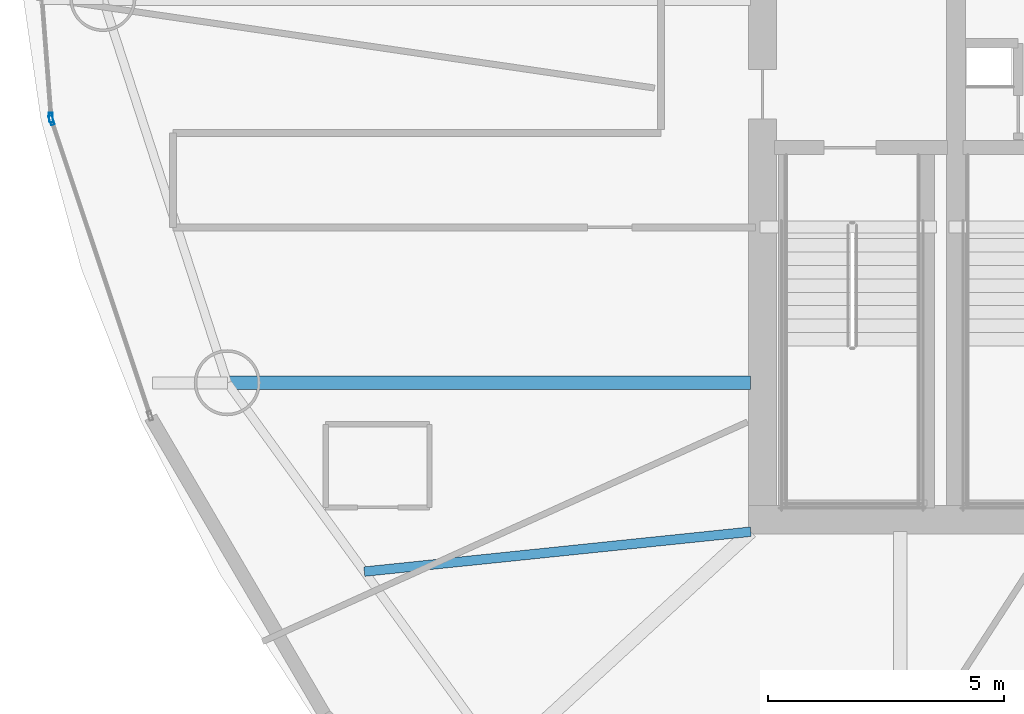
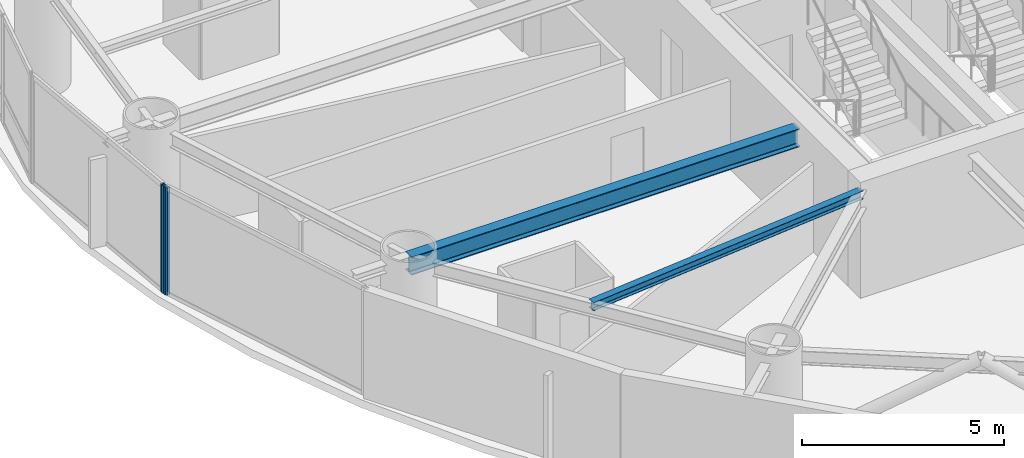
# One storey, part 5 of 22: 2 beams, 2 members, 2 elements without a shape of their own.
"""IFC4 building model written with IfcOpenShell, lengths in metres."""

import ifcopenshell
import ifcopenshell.guid

model = None  # the IFC model being written
_history = None  # IfcOwnerHistory: only IFC2X3 demands one
_inside = {}  # id of a spatial element -> (the spatial element, [elements in it])
_under = {}  # id of a project, library or spatial element -> (it, [spatial elements below it])
_declared = {}  # id of a project -> (the project, [libraries it declares])
_typed = {}  # id of a type object -> (the type object, [elements of that type])
_made_of = {}  # id of a material, layer set ... -> (it, [elements and type objects made of it])


def new_model(schema):
    """Start an empty IFC model of exactly this schema.

    Asked for "IFC4X3", IfcOpenShell would pick the latest addendum, in which some entities
    have other attributes; the version numbers below select the first issue.
    IFC2X3 requires an IfcOwnerHistory on every rooted entity: one is made here for all.
    """
    global model, _history
    if schema == "IFC4X3":
        model = ifcopenshell.file(schema_version=(4, 3, 0, 0))
    else:
        model = ifcopenshell.file(schema=schema)
    _inside.clear()
    _under.clear()
    _declared.clear()
    _typed.clear()
    _made_of.clear()
    _history = None
    if model.schema == "IFC2X3":
        org = make("IfcOrganization", Name="unknown")
        user = make(
            "IfcPersonAndOrganization",
            ThePerson=make("IfcPerson", FamilyName="unknown"),
            TheOrganization=org,
        )
        app = make(
            "IfcApplication",
            ApplicationDeveloper=org,
            Version="unknown",
            ApplicationFullName="unknown",
            ApplicationIdentifier="unknown",
        )
        _history = make(
            "IfcOwnerHistory",
            OwningUser=user,
            OwningApplication=app,
            ChangeAction="ADDED",
            CreationDate=0,
        )
    return model


def make(cls, **values):
    """One entity of the class cls with the attributes given. An attribute that is None is left unset."""
    return model.create_entity(
        cls, **{name: value for name, value in values.items() if value is not None}
    )


def rooted(cls, **values):
    """An entity with a GlobalId (a new one), such as an element, a storey or a relation."""
    return make(cls, GlobalId=ifcopenshell.guid.new(), OwnerHistory=_history, **values)


def si_unit(unit_type, name, prefix=None):
    """IfcSIUnit, for example si_unit("LENGTHUNIT", "METRE", prefix="MILLI")."""
    return make("IfcSIUnit", UnitType=unit_type, Prefix=prefix, Name=name)


def assignment(units):
    """IfcUnitAssignment: the units of a project."""
    return None if units is None else make("IfcUnitAssignment", Units=units)


def point(xyz):
    """IfcCartesianPoint."""
    return None if xyz is None else make("IfcCartesianPoint", Coordinates=xyz)


def direction(xyz):
    """IfcDirection."""
    return None if xyz is None else make("IfcDirection", DirectionRatios=xyz)


def frame(location, z_axis=None, x_axis=None):
    """IfcAxis2Placement3D, a coordinate frame: its origin and axes. An axis left out is left unset."""
    return make(
        "IfcAxis2Placement3D",
        Location=point(location),
        Axis=direction(z_axis),
        RefDirection=direction(x_axis),
    )


def frame_2d(location, x_axis=None):
    """IfcAxis2Placement2D, a coordinate frame in the plane: its origin and x axis."""
    return make(
        "IfcAxis2Placement2D", Location=point(location), RefDirection=direction(x_axis)
    )


def origin():
    """The frame at (0, 0, 0) with its axes left unset."""
    return frame((0.0, 0.0, 0.0))


def origin_2d():
    """The frame at (0, 0) in the plane with its x axis left unset."""
    return frame_2d((0.0, 0.0))


def place(relative_to, where):
    """IfcLocalPlacement: puts the frame where relative to a parent placement (None: the world)."""
    return make(
        "IfcLocalPlacement", PlacementRelTo=relative_to, RelativePlacement=where
    )


def context(
    kind, dimensions, precision=None, world=None, true_north=None, identifier=None
):
    """IfcGeometricRepresentationContext, for example the 3D "Model" context."""
    return make(
        "IfcGeometricRepresentationContext",
        ContextIdentifier=identifier,
        ContextType=kind,
        CoordinateSpaceDimension=dimensions,
        Precision=precision,
        WorldCoordinateSystem=world,
        TrueNorth=true_north,
    )


def subcontext(parent, identifier, kind, view, scale=None):
    """IfcGeometricRepresentationSubContext, for example "Body" below "Model"."""
    return make(
        "IfcGeometricRepresentationSubContext",
        ContextIdentifier=identifier,
        ContextType=kind,
        ParentContext=parent,
        TargetScale=scale,
        TargetView=view,
    )


def project(units=None, contexts=None):
    """IfcProject with its units and contexts."""
    return rooted(
        "IfcProject",
        Name="project",
        RepresentationContexts=contexts,
        UnitsInContext=assignment(units),
    )


def spatial(cls, under=None, at=None, **own):
    """A site, building, storey or space (cls), placed at a placement, below another one or the project."""
    s = rooted(cls, ObjectPlacement=at, **own)
    if under is not None:
        _under.setdefault(under.id(), (under, []))[1].append(s)
    return s


def profile(cls, at=None, kind="AREA", **sizes):
    """A parametric profile (cls). Its sizes go by their IFC names, for example OverallWidth=200.0."""
    return make(cls, ProfileType=kind, Position=at, **sizes)


def hollow_rectangle(**sizes):
    """IfcRectangleHollowProfileDef."""
    return profile("IfcRectangleHollowProfileDef", **sizes)


def i_section(**sizes):
    """IfcIShapeProfileDef."""
    return profile("IfcIShapeProfileDef", **sizes)


def extrude(swept, where, along, depth):
    """IfcExtrudedAreaSolid: the profile swept, set in the frame where, extruded along a direction by depth."""
    return make(
        "IfcExtrudedAreaSolid",
        SweptArea=swept,
        Position=where,
        ExtrudedDirection=direction(along),
        Depth=depth,
    )


def shape(context_of_items, identifier, shape_type, items):
    """IfcShapeRepresentation: the items that make up one representation, for example the "Body"."""
    return make(
        "IfcShapeRepresentation",
        ContextOfItems=context_of_items,
        RepresentationIdentifier=identifier,
        RepresentationType=shape_type,
        Items=items,
    )


def material(Name=None, Category=None):
    """IfcMaterial."""
    return make("IfcMaterial", Name=Name, Category=Category)


def layer(
    of_material, thickness, ventilated=None, Name=None, Category=None, Priority=None
):
    """IfcMaterialLayer: one layer of a wall or slab, of a material (None: an air gap)."""
    return make(
        "IfcMaterialLayer",
        Material=of_material,
        LayerThickness=thickness,
        IsVentilated=ventilated,
        Name=Name,
        Category=Category,
        Priority=Priority,
    )


def layer_set(layers, Name=None):
    """IfcMaterialLayerSet."""
    return make("IfcMaterialLayerSet", MaterialLayers=layers, LayerSetName=Name)


def material_profile(
    of_material, cross_section, Name=None, Category=None, Priority=None
):
    """IfcMaterialProfile: a cross section and its material."""
    return make(
        "IfcMaterialProfile",
        Name=Name,
        Material=of_material,
        Profile=cross_section,
        Priority=Priority,
        Category=Category,
    )


def profile_set(profiles, Name=None, composite=None):
    """IfcMaterialProfileSet."""
    return make(
        "IfcMaterialProfileSet",
        Name=Name,
        MaterialProfiles=profiles,
        CompositeProfile=composite,
    )


def made_of(thing, what):
    """Note that an element or type object is made of a material, layer set ...; save() writes the relation."""
    if what is not None:
        _made_of.setdefault(what.id(), (what, []))[1].append(thing)
    return thing


def type_object(cls, material=None, **own):
    """A type object (cls), such as IfcWallType, which elements share."""
    return made_of(rooted(cls, **own), material)


def element(
    cls,
    number,
    at=None,
    inside=None,
    cuts=None,
    type_object=None,
    material=None,
    context=None,
    identifier="Body",
    shape_type=None,
    held_by="IfcProductDefinitionShape",
    body=None,
    shapes=None,
    **own,
):
    """One element of the class cls, such as IfcWall. Its Tag is "e" and its number.

    at: its placement. inside: the storey or other place that contains it. cuts: it is an
    opening in that element (IfcRelVoidsElement). A single representation is given by context,
    identifier, shape_type and body (its items); several are given by shapes. held_by: the class
    of the entity that holds the representations. save() writes the other relations.
    """
    e = rooted(cls, Tag="e%d" % number, ObjectPlacement=at, **own)
    if body is not None:
        shapes = [shape(context, identifier, shape_type, body)]
    if shapes is not None:
        e.Representation = make(held_by, Representations=shapes)
    if inside is not None:
        _inside.setdefault(inside.id(), (inside, []))[1].append(e)
    if cuts is not None:
        rooted(
            "IfcRelVoidsElement", RelatingBuildingElement=cuts, RelatedOpeningElement=e
        )
    if type_object is not None:
        _typed.setdefault(type_object.id(), (type_object, []))[1].append(e)
    return made_of(e, material)


def aggregate(whole, parts):
    """IfcRelAggregates: a whole, such as a stair, and the parts it consists of."""
    return rooted("IfcRelAggregates", RelatingObject=whole, RelatedObjects=parts)


def save(model, path):
    """Write the relations noted so far, then the file.

    IfcRelAggregates (storeys below a building ...), IfcRelContainedInSpatialStructure (elements
    in a storey), IfcRelDefinesByType, IfcRelAssociatesMaterial and IfcRelDeclares: one each for
    every whole, place, type object, material and project.
    """
    for whole, parts in _under.values():
        aggregate(whole, parts)
    for where, things in _inside.values():
        rooted(
            "IfcRelContainedInSpatialStructure",
            RelatedElements=things,
            RelatingStructure=where,
        )
    for kind, things in _typed.values():
        rooted("IfcRelDefinesByType", RelatedObjects=things, RelatingType=kind)
    for what, things in _made_of.values():
        rooted("IfcRelAssociatesMaterial", RelatedObjects=things, RelatingMaterial=what)
    for by, libraries in _declared.values():
        rooted("IfcRelDeclares", RelatingContext=by, RelatedDefinitions=libraries)
    model.write(path)


model = new_model("IFC4")

# Units and contexts
model_context = context("Model", 3, precision=1e-05, world=origin(), true_north=direction((0.0, 1.0)))
body_context = subcontext(model_context, "Body", "Model", "MODEL_VIEW")
ifc_project = project(units=[si_unit("LENGTHUNIT", "METRE"), si_unit("AREAUNIT", "SQUARE_METRE"), si_unit("VOLUMEUNIT", "CUBIC_METRE"), si_unit("PLANEANGLEUNIT", "RADIAN"), si_unit("MASSUNIT", "GRAM", prefix="KILO")], contexts=[model_context])

# Site, building, storey
site_placement = place(None, origin())
site = spatial("IfcSite", under=ifc_project, at=site_placement, CompositionType="ELEMENT")
building_placement = place(site_placement, origin())
building = spatial("IfcBuilding", under=site, at=building_placement, Name="Bramvorn Convention Spire", CompositionType="ELEMENT")
storey_placement = place(building_placement, frame((0.0, 0.0, 134.300048828125)))
storey = spatial("IfcBuildingStorey", under=building, at=storey_placement, Name="L33", CompositionType="ELEMENT", Elevation=134.300048828125)

# Beams
ifc_material_1 = material(Name="Steel CSA G40.21 Grade 350 (350W)", Category="steel")
ifc_material_profile_1 = material_profile(ifc_material_1, i_section(OverallWidth=0.201904296875, OverallDepth=0.2470703125, WebThickness=0.00732421875, FlangeThickness=0.010986328125, FilletRadius=0.011962890625, at=origin_2d()))
ifc_profile_set_1 = profile_set([ifc_material_profile_1], Name="Steel CSA G40.21 Grade 350 (350W) - W250X49")
beam_type_1 = type_object("IfcBeamType", Name="BM-W250X49", PredefinedType="JOIST", material=ifc_profile_set_1)
beam_1_placement = place(storey_placement, frame((26.75, 18.550048828125, 3.136474609375), z_axis=(-0.994705076194, -0.102770673804, 0.0), x_axis=(0.102770673804, -0.994705076194, 0.0)))
element("IfcBeam", 1, at=beam_1_placement, inside=storey, type_object=beam_type_1, Name="L33 composite floor joist 11", PredefinedType="JOIST", context=body_context, shape_type="SweptSolid", body=[
    extrude(i_section(OverallWidth=0.201904296875, OverallDepth=0.2470703125, WebThickness=0.00732421875, FlangeThickness=0.010986328125, FilletRadius=0.011962890625, at=origin_2d()), origin(), (0.0, 0.0, 1.0), 8.23388671875),
])
ifc_material_profile_2 = material_profile(ifc_material_1, i_section(OverallWidth=0.2919921875, OverallDepth=0.551025390625, WebThickness=0.01513671875, FlangeThickness=0.0244140625, FilletRadius=0.01904296875, at=origin_2d()))
ifc_profile_set_2 = profile_set([ifc_material_profile_2], Name="Steel CSA G40.21 Grade 350 (350W) - W530X182")
beam_type_2 = type_object("IfcBeamType", Name="BM-W530X182", PredefinedType="BEAM", material=ifc_profile_set_2)
beam_2_placement = place(storey_placement, frame((26.75, 21.706787109375, 2.984375), z_axis=(-1.0, 0.0, 0.0), x_axis=(0.0, -1.0, 0.0)))
element("IfcBeam", 2, at=beam_2_placement, inside=storey, type_object=beam_type_2, Name="L33 radial floor girder MC11", PredefinedType="BEAM", context=body_context, shape_type="SweptSolid", body=[
    extrude(i_section(OverallWidth=0.2919921875, OverallDepth=0.551025390625, WebThickness=0.01513671875, FlangeThickness=0.0244140625, FilletRadius=0.01904296875, at=origin_2d()), origin(), (0.0, 0.0, 1.0), 11.095703125),
])

# Curtain wall, member
ifc_material_2 = material(Name="Anodised Bronze Unitised Curtain Wall", Category="aluminium")
ifc_layer = layer(ifc_material_2, 0.179931640625)
ifc_layer_set = layer_set([ifc_layer], Name="Anodised Bronze Unitised Curtain Wall - CW-HTL-FRIT")
curtain_wall_type = type_object("IfcCurtainWallType", Name="CW-HTL-FRIT", PredefinedType="USERDEFINED", material=ifc_layer_set)
curtain_wall_1_placement = place(storey_placement, origin())
curtain_wall_1 = element("IfcCurtainWall", 3, at=curtain_wall_1_placement, inside=storey, type_object=curtain_wall_type, Name="L33 fritted glass curtain wall 14", ObjectType="UNITISED CURTAIN WALL", PredefinedType="USERDEFINED")
ifc_material_3 = material(Name="Anodised Bronze Aluminium 6063-T6", Category="aluminium")
ifc_material_profile_3 = material_profile(ifc_material_3, hollow_rectangle(XDim=0.080078125, YDim=0.199951171875, WallThickness=0.00390625, InnerFilletRadius=0.0009765625, OuterFilletRadius=0.00390625, at=origin_2d()))
ifc_profile_set_3 = profile_set([ifc_material_profile_3], Name="Anodised Bronze Aluminium 6063-T6 - CWM80X200")
member_type = type_object("IfcMemberType", Name="CW-MUL-180", PredefinedType="MULLION", material=ifc_profile_set_3)
member_1_placement = place(storey_placement, frame((11.919189453125, 27.328125, 0.0), z_axis=(0.0, 0.0, 1.0), x_axis=(-0.997063570546, -0.07657830169, 0.0)))
member_1 = element("IfcMember", 4, at=member_1_placement, type_object=member_type, Name="CW2 mullion 1", PredefinedType="MULLION", context=body_context, shape_type="SweptSolid", body=[
    extrude(hollow_rectangle(XDim=0.080078125, YDim=0.199951171875, WallThickness=0.00390625, InnerFilletRadius=0.0009765625, OuterFilletRadius=0.00390625, at=origin_2d()), origin(), (0.0, 0.0, 1.0), 3.260009765625),
])
aggregate(curtain_wall_1, [member_1])

curtain_wall_2_placement = place(storey_placement, origin())
curtain_wall_2 = element("IfcCurtainWall", 5, at=curtain_wall_2_placement, inside=storey, type_object=curtain_wall_type, Name="L33 fritted glass curtain wall 15", ObjectType="UNITISED CURTAIN WALL", PredefinedType="USERDEFINED")
member_2_placement = place(storey_placement, frame((11.930908203125, 27.269775390625, 0.0), z_axis=(0.0, 0.0, 1.0), x_axis=(-0.948666792725, -0.316277277688, 0.0)))
member_2 = element("IfcMember", 6, at=member_2_placement, type_object=member_type, Name="CW2 mullion 2", PredefinedType="MULLION", context=body_context, shape_type="SweptSolid", body=[
    extrude(hollow_rectangle(XDim=0.080078125, YDim=0.199951171875, WallThickness=0.00390625, InnerFilletRadius=0.0009765625, OuterFilletRadius=0.00390625, at=origin_2d()), origin(), (0.0, 0.0, 1.0), 3.260009765625),
])
aggregate(curtain_wall_2, [member_2])

save(model, "model.ifc")
